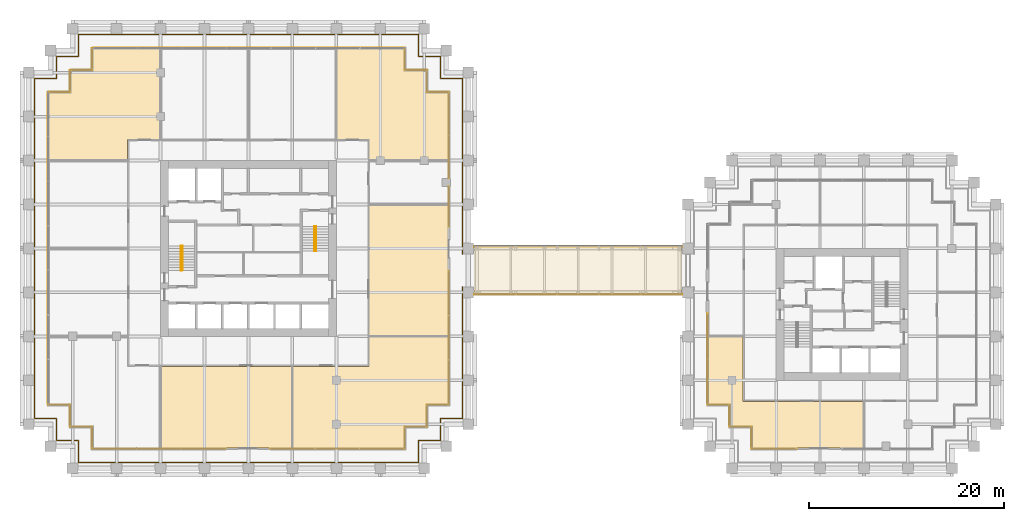
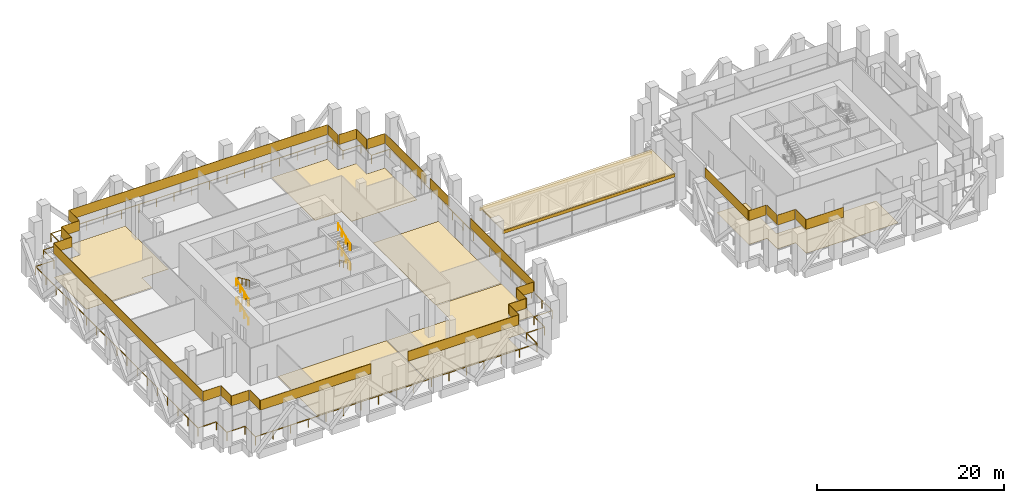
# One storey, part 43 of 44: 38 coverings, 9 railings.
"""IFC4 building model written with IfcOpenShell, lengths in metres."""

from ifc_helpers import new_model, si_unit, direction, frame, origin, origin_2d, place, context, subcontext, project, spatial, polyline, rectangle, circle, outline, extrude, source, transform, mapped, material, layer, layer_set, type_object, element, save


model = new_model("IFC4")

# Units and contexts
model_context = context("Model", 3, precision=1e-05, world=origin(), true_north=direction((0.0, 1.0)))
body_context = subcontext(model_context, "Body", "Model", "MODEL_VIEW")
ifc_project = project(units=[si_unit("LENGTHUNIT", "METRE"), si_unit("AREAUNIT", "SQUARE_METRE"), si_unit("VOLUMEUNIT", "CUBIC_METRE"), si_unit("PLANEANGLEUNIT", "RADIAN"), si_unit("MASSUNIT", "GRAM", prefix="KILO")], contexts=[model_context])

# Site, building, storey
site_placement = place(None, origin())
site = spatial("IfcSite", under=ifc_project, at=site_placement, CompositionType="ELEMENT")
building_placement = place(site_placement, origin())
building = spatial("IfcBuilding", under=site, at=building_placement, Name="Altepetl Exchange Towers", CompositionType="ELEMENT")
storey_placement = place(building_placement, frame((0.0, 0.0, 87.0)))
storey = spatial("IfcBuildingStorey", under=building, at=storey_placement, Name="L21 Refuge", CompositionType="ELEMENT", Elevation=87.0)

# Coverings
ifc_material_1 = material(Name="Aluminium composite cladding", Category="aluminium")
ifc_layer_1 = layer(ifc_material_1, 0.030029296875)
ifc_layer_set_1 = layer_set([ifc_layer_1], Name="Aluminium composite cladding")
covering_type_1 = type_object("IfcCoveringType", Name="Bridge fascia panel 30", PredefinedType="CLADDING", material=ifc_layer_set_1)
for number, where, name in (
    (1, (83.25, 44.784912109375, 3.0), "BR1 fascia"),
    (2, (83.25, 49.715087890625, 3.0), "BR1 fascia"),
):
    element("IfcCovering", number, at=place(storey_placement, frame(where)), inside=storey, type_object=covering_type_1, Name=name, PredefinedType="CLADDING", context=body_context, shape_type="SweptSolid", body=[
        extrude(rectangle(XDim=21.300048828125, YDim=0.030029296875, at=origin_2d()), origin(), (0.0, 0.0, 1.0), 0.406005859375),
    ])
ifc_material_2 = material(Name="Aluminium composite roofing", Category="aluminium")
ifc_layer_2 = layer(ifc_material_2, 0.14990234375)
ifc_layer_set_2 = layer_set([ifc_layer_2], Name="Aluminium composite roofing")
covering_type_2 = type_object("IfcCoveringType", Name="Bridge roof covering 150 insulated", PredefinedType="ROOFING", material=ifc_layer_set_2)
covering_1_placement = place(storey_placement, frame((0.0, 0.0, 3.406005859375)))
element("IfcCovering", 3, at=covering_1_placement, inside=storey, type_object=covering_type_2, Name="BR1 roof covering", PredefinedType="ROOFING", context=body_context, shape_type="SweptSolid", body=[
    extrude(outline(polyline([(72.60009765625, 44.7099609375), (93.89990234375, 44.7099609375), (93.89990234375, 49.7900390625), (72.60009765625, 49.7900390625), (72.60009765625, 44.7099609375)])), origin(), (0.0, 0.0, 1.0), 0.14990234375),
])
ifc_material_3 = material(Name="Cantera stone", Category="masonry")
ifc_layer_3 = layer(ifc_material_3, 0.030029296875)
ifc_layer_set_3 = layer_set([ifc_layer_3], Name="Cantera stone")
covering_type_3 = type_object("IfcCoveringType", Name="Polished stone floor", PredefinedType="FLOORING", material=ifc_layer_set_3)
covering_2_placement = place(storey_placement, origin())
element("IfcCovering", 4, at=covering_2_placement, inside=storey, type_object=covering_type_3, Name="Refuge area floor finish A21.03", PredefinedType="FLOORING", context=body_context, shape_type="SweptSolid", body=[
    extrude(outline(polyline([(40.5625, 37.4375), (40.5625, 29.0625), (53.9375, 29.0625), (53.9375, 37.4375), (40.5625, 37.4375)])), origin(), (0.0, 0.0, 1.0), 0.030029296875),
])
covering_3_placement = place(storey_placement, origin())
element("IfcCovering", 5, at=covering_3_placement, inside=storey, type_object=covering_type_3, Name="Refuge area floor finish A21.04", PredefinedType="FLOORING", context=body_context, shape_type="SweptSolid", body=[
    extrude(outline(polyline([(54.0625, 37.4375), (54.0625, 29.0625), (65.4375, 29.0625), (65.4375, 31.3125), (67.6875, 31.3125), (67.6875, 33.5625), (69.9375, 33.5625), (69.9375, 40.4375), (61.862548828125, 40.4375), (61.862548828125, 37.4375), (54.0625, 37.4375)])), origin(), (0.0, 0.0, 1.0), 0.030029296875),
])
covering_4_placement = place(storey_placement, origin())
element("IfcCovering", 6, at=covering_4_placement, inside=storey, type_object=covering_type_3, Name="Bridge lobby floor finish A21.05", PredefinedType="FLOORING", context=body_context, shape_type="SweptSolid", body=[
    extrude(outline(polyline([(69.9375, 40.5625), (69.9375, 53.9375), (61.862548828125, 53.9375), (61.862548828125, 40.5625), (69.9375, 40.5625)])), origin(), (0.0, 0.0, 1.0), 0.030029296875),
])
covering_5_placement = place(storey_placement, origin())
element("IfcCovering", 7, at=covering_5_placement, inside=storey, type_object=covering_type_3, Name="Refuge area floor finish A21.07", PredefinedType="FLOORING", context=body_context, shape_type="SweptSolid", body=[
    extrude(outline(polyline([(58.5625, 69.9375), (58.5625, 60.66259765625), (61.862548828125, 60.66259765625), (61.862548828125, 58.5625), (69.9375, 58.5625), (69.9375, 65.4375), (67.6875, 65.4375), (67.6875, 67.6875), (65.4375, 67.6875), (65.4375, 69.9375), (58.5625, 69.9375)])), origin(), (0.0, 0.0, 1.0), 0.030029296875),
])
covering_6_placement = place(storey_placement, origin())
element("IfcCovering", 8, at=covering_6_placement, inside=storey, type_object=covering_type_3, Name="Refuge area floor finish A21.10", PredefinedType="FLOORING", context=body_context, shape_type="SweptSolid", body=[
    extrude(outline(polyline([(33.5625, 69.9375), (33.5625, 67.6875), (31.3125, 67.6875), (31.3125, 65.4375), (29.0625, 65.4375), (29.0625, 58.5625), (37.137451171875, 58.5625), (37.137451171875, 60.66259765625), (40.4375, 60.66259765625), (40.4375, 69.9375), (33.5625, 69.9375)])), origin(), (0.0, 0.0, 1.0), 0.030029296875),
])
covering_7_placement = place(storey_placement, origin())
element("IfcCovering", 9, at=covering_7_placement, inside=storey, type_object=covering_type_3, Name="Refuge area floor finish B21.01", PredefinedType="FLOORING", context=body_context, shape_type="SweptSolid", body=[
    extrude(outline(polyline([(112.4375, 29.0625), (112.4375, 33.83740234375), (100.137451171875, 33.83740234375), (100.137451171875, 40.4375), (96.5625, 40.4375), (96.5625, 33.5625), (98.8125, 33.5625), (98.8125, 31.3125), (101.0625, 31.3125), (101.0625, 29.0625), (112.4375, 29.0625)])), origin(), (0.0, 0.0, 1.0), 0.030029296875),
])
ifc_material_4 = material(Name="Cantera limestone cladding", Category="masonry")
ifc_layer_4 = layer(ifc_material_4, 0.0400390625)
ifc_layer_set_4 = layer_set([ifc_layer_4], Name="Cantera limestone cladding")
covering_type_4 = type_object("IfcCoveringType", Name="Stone panel 40 cantera", PredefinedType="CLADDING", material=ifc_layer_set_4)
covering_8_placement = place(storey_placement, frame((30.175048828125, 65.5, 3.2001953125), z_axis=(0.0, 0.0, 1.0), x_axis=(-1.0, 0.0, 0.0)))
element("IfcCovering", 10, at=covering_8_placement, inside=storey, type_object=covering_type_4, Name="Stone cladding band", PredefinedType="CLADDING", context=body_context, shape_type="SweptSolid", body=[
    extrude(rectangle(XDim=2.14990234375, YDim=0.0400390625, at=origin_2d()), origin(), (0.0, 0.0, 1.0), 1.300048828125),
])
covering_9_placement = place(storey_placement, frame((29.0, 49.550048828125, 3.2001953125), z_axis=(0.0, 0.0, 1.0), x_axis=(0.0, -1.0, 0.0)))
element("IfcCovering", 11, at=covering_9_placement, inside=storey, type_object=covering_type_4, Name="Stone cladding band", PredefinedType="CLADDING", context=body_context, shape_type="SweptSolid", body=[
    extrude(rectangle(XDim=31.89990234375, YDim=0.0400390625, at=origin_2d()), origin(), (0.0, 0.0, 1.0), 1.300048828125),
])
covering_10_placement = place(storey_placement, frame((30.074951171875, 33.5, 3.2001953125)))
element("IfcCovering", 12, at=covering_10_placement, inside=storey, type_object=covering_type_4, Name="Stone cladding band", PredefinedType="CLADDING", context=body_context, shape_type="SweptSolid", body=[
    extrude(rectangle(XDim=2.14990234375, YDim=0.0400390625, at=origin_2d()), origin(), (0.0, 0.0, 1.0), 1.300048828125),
])
covering_11_placement = place(storey_placement, frame((31.25, 32.425048828125, 3.2001953125), z_axis=(0.0, 0.0, 1.0), x_axis=(0.0, -1.0, 0.0)))
element("IfcCovering", 13, at=covering_11_placement, inside=storey, type_object=covering_type_4, Name="Stone cladding band", PredefinedType="CLADDING", context=body_context, shape_type="SweptSolid", body=[
    extrude(rectangle(XDim=2.14990234375, YDim=0.0400390625, at=origin_2d()), origin(), (0.0, 0.0, 1.0), 1.300048828125),
])
covering_12_placement = place(storey_placement, frame((32.324951171875, 31.25, 3.2001953125)))
element("IfcCovering", 14, at=covering_12_placement, inside=storey, type_object=covering_type_4, Name="Stone cladding band", PredefinedType="CLADDING", context=body_context, shape_type="SweptSolid", body=[
    extrude(rectangle(XDim=2.14990234375, YDim=0.0400390625, at=origin_2d()), origin(), (0.0, 0.0, 1.0), 1.300048828125),
])
covering_13_placement = place(storey_placement, frame((33.5, 30.175048828125, 3.2001953125), z_axis=(0.0, 0.0, 1.0), x_axis=(0.0, -1.0, 0.0)))
element("IfcCovering", 15, at=covering_13_placement, inside=storey, type_object=covering_type_4, Name="Stone cladding band", PredefinedType="CLADDING", context=body_context, shape_type="SweptSolid", body=[
    extrude(rectangle(XDim=2.14990234375, YDim=0.0400390625, at=origin_2d()), origin(), (0.0, 0.0, 1.0), 1.300048828125),
])
for number, where, name in (
    (16, (40.335693359375, 29.0, 3.2001953125), "Stone cladding band"),
    (17, (58.564208984375, 29.0, 3.2001953125), "Stone cladding band"),
):
    element("IfcCovering", number, at=place(storey_placement, frame(where)), inside=storey, type_object=covering_type_4, Name=name, PredefinedType="CLADDING", context=body_context, shape_type="SweptSolid", body=[
        extrude(rectangle(XDim=13.67138671875, YDim=0.0400390625, at=origin_2d()), origin(), (0.0, 0.0, 1.0), 1.300048828125),
    ])
covering_14_placement = place(storey_placement, frame((65.5, 30.074951171875, 3.2001953125), z_axis=(0.0, 0.0, 1.0), x_axis=(0.0, 1.0, 0.0)))
element("IfcCovering", 18, at=covering_14_placement, inside=storey, type_object=covering_type_4, Name="Stone cladding band", PredefinedType="CLADDING", context=body_context, shape_type="SweptSolid", body=[
    extrude(rectangle(XDim=2.14990234375, YDim=0.0400390625, at=origin_2d()), origin(), (0.0, 0.0, 1.0), 1.300048828125),
])
covering_15_placement = place(storey_placement, frame((66.574951171875, 31.25, 3.2001953125)))
element("IfcCovering", 19, at=covering_15_placement, inside=storey, type_object=covering_type_4, Name="Stone cladding band", PredefinedType="CLADDING", context=body_context, shape_type="SweptSolid", body=[
    extrude(rectangle(XDim=2.14990234375, YDim=0.0400390625, at=origin_2d()), origin(), (0.0, 0.0, 1.0), 1.300048828125),
])
covering_16_placement = place(storey_placement, frame((67.75, 32.324951171875, 3.2001953125), z_axis=(0.0, 0.0, 1.0), x_axis=(0.0, 1.0, 0.0)))
element("IfcCovering", 20, at=covering_16_placement, inside=storey, type_object=covering_type_4, Name="Stone cladding band", PredefinedType="CLADDING", context=body_context, shape_type="SweptSolid", body=[
    extrude(rectangle(XDim=2.14990234375, YDim=0.0400390625, at=origin_2d()), origin(), (0.0, 0.0, 1.0), 1.300048828125),
])
covering_17_placement = place(storey_placement, frame((68.824951171875, 33.5, 3.2001953125)))
element("IfcCovering", 21, at=covering_17_placement, inside=storey, type_object=covering_type_4, Name="Stone cladding band", PredefinedType="CLADDING", context=body_context, shape_type="SweptSolid", body=[
    extrude(rectangle(XDim=2.14990234375, YDim=0.0400390625, at=origin_2d()), origin(), (0.0, 0.0, 1.0), 1.300048828125),
])
covering_18_placement = place(storey_placement, frame((70.0, 40.335693359375, 3.2001953125), z_axis=(0.0, 0.0, 1.0), x_axis=(0.0, 1.0, 0.0)))
element("IfcCovering", 22, at=covering_18_placement, inside=storey, type_object=covering_type_4, Name="Stone cladding band", PredefinedType="CLADDING", context=body_context, shape_type="SweptSolid", body=[
    extrude(rectangle(XDim=13.67138671875, YDim=0.0400390625, at=origin_2d()), origin(), (0.0, 0.0, 1.0), 1.300048828125),
])
covering_19_placement = place(storey_placement, frame((70.0, 53.766845703125, 3.2001953125), z_axis=(0.0, 0.0, 1.0), x_axis=(0.0, 1.0, 0.0)))
element("IfcCovering", 23, at=covering_19_placement, inside=storey, type_object=covering_type_4, Name="Stone cladding band", PredefinedType="CLADDING", context=body_context, shape_type="SweptSolid", body=[
    extrude(rectangle(XDim=4.076416015625, YDim=0.0400390625, at=origin_2d()), origin(), (0.0, 0.0, 1.0), 1.300048828125),
])
covering_20_placement = place(storey_placement, frame((70.0, 61.047607421875, 3.2001953125), z_axis=(0.0, 0.0, 1.0), x_axis=(0.0, 1.0, 0.0)))
element("IfcCovering", 24, at=covering_20_placement, inside=storey, type_object=covering_type_4, Name="Stone cladding band", PredefinedType="CLADDING", context=body_context, shape_type="SweptSolid", body=[
    extrude(rectangle(XDim=8.705078125, YDim=0.0400390625, at=origin_2d()), origin(), (0.0, 0.0, 1.0), 1.300048828125),
])
for number, where, z_axis, x_axis, name in (
    (25, (68.925048828125, 65.5, 3.2001953125), (0.0, 0.0, 1.0), (-1.0, 0.0, 0.0), "Stone cladding band"),
    (26, (67.75, 66.574951171875, 3.2001953125), (0.0, 0.0, 1.0), (0.0, 1.0, 0.0), "Stone cladding band"),
    (27, (66.675048828125, 67.75, 3.2001953125), (0.0, 0.0, 1.0), (-1.0, 0.0, 0.0), "Stone cladding band"),
    (28, (65.5, 68.824951171875, 3.2001953125), (0.0, 0.0, 1.0), (0.0, 1.0, 0.0), "Stone cladding band"),
):
    element("IfcCovering", number, at=place(storey_placement, frame(where, z_axis=z_axis, x_axis=x_axis)), inside=storey, type_object=covering_type_4, Name=name, PredefinedType="CLADDING", context=body_context, shape_type="SweptSolid", body=[
        extrude(rectangle(XDim=2.14990234375, YDim=0.0400390625, at=origin_2d()), origin(), (0.0, 0.0, 1.0), 1.300048828125),
    ])
covering_21_placement = place(storey_placement, frame((49.550048828125, 70.0, 3.2001953125), z_axis=(0.0, 0.0, 1.0), x_axis=(-1.0, 0.0, 0.0)))
element("IfcCovering", 29, at=covering_21_placement, inside=storey, type_object=covering_type_4, Name="Stone cladding band", PredefinedType="CLADDING", context=body_context, shape_type="SweptSolid", body=[
    extrude(rectangle(XDim=31.89990234375, YDim=0.0400390625, at=origin_2d()), origin(), (0.0, 0.0, 1.0), 1.300048828125),
])
for number, where, z_axis, x_axis, name in (
    (30, (33.5, 68.925048828125, 3.2001953125), (0.0, 0.0, 1.0), (0.0, -1.0, 0.0), "Stone cladding band"),
    (31, (32.425048828125, 67.75, 3.2001953125), (0.0, 0.0, 1.0), (-1.0, 0.0, 0.0), "Stone cladding band"),
    (32, (31.25, 66.675048828125, 3.2001953125), (0.0, 0.0, 1.0), (0.0, -1.0, 0.0), "Stone cladding band"),
):
    element("IfcCovering", number, at=place(storey_placement, frame(where, z_axis=z_axis, x_axis=x_axis)), inside=storey, type_object=covering_type_4, Name=name, PredefinedType="CLADDING", context=body_context, shape_type="SweptSolid", body=[
        extrude(rectangle(XDim=2.14990234375, YDim=0.0400390625, at=origin_2d()), origin(), (0.0, 0.0, 1.0), 1.300048828125),
    ])
covering_22_placement = place(storey_placement, frame((96.5, 38.199951171875, 3.2001953125), z_axis=(0.0, 0.0, 1.0), x_axis=(0.0, -1.0, 0.0)))
element("IfcCovering", 33, at=covering_22_placement, inside=storey, type_object=covering_type_4, Name="Stone cladding band", PredefinedType="CLADDING", context=body_context, shape_type="SweptSolid", body=[
    extrude(rectangle(XDim=9.199951171875, YDim=0.0400390625, at=origin_2d()), origin(), (0.0, 0.0, 1.0), 1.300048828125),
])
covering_23_placement = place(storey_placement, frame((97.574951171875, 33.5, 3.2001953125)))
element("IfcCovering", 34, at=covering_23_placement, inside=storey, type_object=covering_type_4, Name="Stone cladding band", PredefinedType="CLADDING", context=body_context, shape_type="SweptSolid", body=[
    extrude(rectangle(XDim=2.14990234375, YDim=0.0400390625, at=origin_2d()), origin(), (0.0, 0.0, 1.0), 1.300048828125),
])
covering_24_placement = place(storey_placement, frame((98.75, 32.425048828125, 3.2001953125), z_axis=(0.0, 0.0, 1.0), x_axis=(0.0, -1.0, 0.0)))
element("IfcCovering", 35, at=covering_24_placement, inside=storey, type_object=covering_type_4, Name="Stone cladding band", PredefinedType="CLADDING", context=body_context, shape_type="SweptSolid", body=[
    extrude(rectangle(XDim=2.14990234375, YDim=0.0400390625, at=origin_2d()), origin(), (0.0, 0.0, 1.0), 1.300048828125),
])
covering_25_placement = place(storey_placement, frame((99.824951171875, 31.25, 3.2001953125)))
element("IfcCovering", 36, at=covering_25_placement, inside=storey, type_object=covering_type_4, Name="Stone cladding band", PredefinedType="CLADDING", context=body_context, shape_type="SweptSolid", body=[
    extrude(rectangle(XDim=2.14990234375, YDim=0.0400390625, at=origin_2d()), origin(), (0.0, 0.0, 1.0), 1.300048828125),
])
covering_26_placement = place(storey_placement, frame((101.0, 30.175048828125, 3.2001953125), z_axis=(0.0, 0.0, 1.0), x_axis=(0.0, -1.0, 0.0)))
element("IfcCovering", 37, at=covering_26_placement, inside=storey, type_object=covering_type_4, Name="Stone cladding band", PredefinedType="CLADDING", context=body_context, shape_type="SweptSolid", body=[
    extrude(rectangle(XDim=2.14990234375, YDim=0.0400390625, at=origin_2d()), origin(), (0.0, 0.0, 1.0), 1.300048828125),
])
covering_27_placement = place(storey_placement, frame((103.300048828125, 29.0, 3.2001953125)))
element("IfcCovering", 38, at=covering_27_placement, inside=storey, type_object=covering_type_4, Name="Stone cladding band", PredefinedType="CLADDING", context=body_context, shape_type="SweptSolid", body=[
    extrude(rectangle(XDim=4.60009765625, YDim=0.0400390625, at=origin_2d()), origin(), (0.0, 0.0, 1.0), 1.300048828125),
])

# Railings
ifc_material_5 = material(Name="Steel S355", Category="steel")
railing_type_1 = type_object("IfcRailingType", Name="Guard 1100 steel posts and rail", PredefinedType="GUARDRAIL", material=ifc_material_5)
shared_shape_1 = source(origin(), body_context, "Body", "SweptSolid", [
    extrude(circle(Radius=0.02099609375, at=origin_2d()), origin(), (0.0, 0.0, 1.0), 1.052001953125),
])
railing_1_placement = place(storey_placement, frame((71.39990234375, 48.949951171875, 0.0)))
element("IfcRailing", 39, at=railing_1_placement, inside=storey, type_object=railing_type_1, Name="Loggia guard", PredefinedType="GUARDRAIL", context=body_context, shape_type="SweptSolid", body=[
    extrude(circle(Radius=0.02392578125, at=origin_2d()), frame((0.0, 0.0, 1.076171875), z_axis=(0.0, 1.0, 0.0), x_axis=(-1.0, 0.0, 0.0)), (0.0, 0.0, 1.0), 17.949951171875),
    extrude(circle(Radius=0.02392578125, at=origin_2d()), frame((0.0, 17.949951171875, 1.076171875), z_axis=(-1.0, 0.0, 0.0), x_axis=(0.0, -1.0, 0.0)), (0.0, 0.0, 1.0), 2.25),
    extrude(circle(Radius=0.02392578125, at=origin_2d()), frame((-2.25, 17.949951171875, 1.076171875), z_axis=(0.0, 1.0, 0.0), x_axis=(-1.0, 0.0, 0.0)), (0.0, 0.0, 1.0), 2.25),
    extrude(circle(Radius=0.02392578125, at=origin_2d()), frame((-2.25, 20.199951171875, 1.076171875), z_axis=(-1.0, 0.0, 0.0), x_axis=(0.0, -1.0, 0.0)), (0.0, 0.0, 1.0), 2.25),
    extrude(circle(Radius=0.02392578125, at=origin_2d()), frame((-4.5, 20.199951171875, 1.076171875), z_axis=(0.0, 1.0, 0.0), x_axis=(-1.0, 0.0, 0.0)), (0.0, 0.0, 1.0), 2.25),
    extrude(circle(Radius=0.02392578125, at=origin_2d()), frame((-4.5, 22.449951171875, 1.076171875), z_axis=(-1.0, 0.0, 0.0), x_axis=(0.0, -1.0, 0.0)), (0.0, 0.0, 1.0), 34.7998046875),
    extrude(circle(Radius=0.02392578125, at=origin_2d()), frame((-39.2998046875, 22.449951171875, 1.076171875), z_axis=(0.0, -1.0, 0.0), x_axis=(1.0, 0.0, 0.0)), (0.0, 0.0, 1.0), 2.25),
    extrude(circle(Radius=0.02392578125, at=origin_2d()), frame((-39.2998046875, 20.199951171875, 1.076171875), z_axis=(-1.0, 0.0, 0.0), x_axis=(0.0, -1.0, 0.0)), (0.0, 0.0, 1.0), 2.25),
    extrude(circle(Radius=0.02392578125, at=origin_2d()), frame((-41.5498046875, 20.199951171875, 1.076171875), z_axis=(0.0, -1.0, 0.0), x_axis=(1.0, 0.0, 0.0)), (0.0, 0.0, 1.0), 2.25),
    extrude(circle(Radius=0.02392578125, at=origin_2d()), frame((-41.5498046875, 17.949951171875, 1.076171875), z_axis=(-1.0, 0.0, 0.0), x_axis=(0.0, -1.0, 0.0)), (0.0, 0.0, 1.0), 2.25),
    extrude(circle(Radius=0.02392578125, at=origin_2d()), frame((-43.7998046875, 17.949951171875, 1.076171875), z_axis=(0.0, -1.0, 0.0), x_axis=(1.0, 0.0, 0.0)), (0.0, 0.0, 1.0), 34.7998046875),
    extrude(circle(Radius=0.02392578125, at=origin_2d()), frame((-43.7998046875, -16.849853515625, 1.076171875), z_axis=(1.0, 0.0, 0.0), x_axis=(0.0, 1.0, 0.0)), (0.0, 0.0, 1.0), 2.25),
    extrude(circle(Radius=0.02392578125, at=origin_2d()), frame((-41.5498046875, -16.849853515625, 1.076171875), z_axis=(0.0, -1.0, 0.0), x_axis=(1.0, 0.0, 0.0)), (0.0, 0.0, 1.0), 2.25),
    extrude(circle(Radius=0.02392578125, at=origin_2d()), frame((-41.5498046875, -19.099853515625, 1.076171875), z_axis=(1.0, 0.0, 0.0), x_axis=(0.0, 1.0, 0.0)), (0.0, 0.0, 1.0), 2.25),
    extrude(circle(Radius=0.02392578125, at=origin_2d()), frame((-39.2998046875, -19.099853515625, 1.076171875), z_axis=(0.0, -1.0, 0.0), x_axis=(1.0, 0.0, 0.0)), (0.0, 0.0, 1.0), 2.25),
    extrude(circle(Radius=0.02392578125, at=origin_2d()), frame((-39.2998046875, -21.349853515625, 1.076171875), z_axis=(1.0, 0.0, 0.0), x_axis=(0.0, 1.0, 0.0)), (0.0, 0.0, 1.0), 34.7998046875),
    extrude(circle(Radius=0.02392578125, at=origin_2d()), frame((-4.5, -21.349853515625, 1.076171875), z_axis=(0.0, 1.0, 0.0), x_axis=(-1.0, 0.0, 0.0)), (0.0, 0.0, 1.0), 2.25),
    extrude(circle(Radius=0.02392578125, at=origin_2d()), frame((-4.5, -19.099853515625, 1.076171875), z_axis=(1.0, 0.0, 0.0), x_axis=(0.0, 1.0, 0.0)), (0.0, 0.0, 1.0), 2.25),
    extrude(circle(Radius=0.02392578125, at=origin_2d()), frame((-2.25, -19.099853515625, 1.076171875), z_axis=(0.0, 1.0, 0.0), x_axis=(-1.0, 0.0, 0.0)), (0.0, 0.0, 1.0), 2.25),
    extrude(circle(Radius=0.02392578125, at=origin_2d()), frame((-2.25, -16.849853515625, 1.076171875), z_axis=(1.0, 0.0, 0.0), x_axis=(0.0, 1.0, 0.0)), (0.0, 0.0, 1.0), 2.25),
    extrude(circle(Radius=0.02392578125, at=origin_2d()), frame((0.0, -16.849853515625, 1.076171875), z_axis=(0.0, 1.0, 0.0), x_axis=(-1.0, 0.0, 0.0)), (0.0, 0.0, 1.0), 13.449951171875),
    mapped(shared_shape_1, transform((0.0, 0.0, 0.0))),
    mapped(shared_shape_1, transform((0.0, 2.24365234375, 0.0))),
    mapped(shared_shape_1, transform((0.0, 4.487548828125, 0.0))),
    mapped(shared_shape_1, transform((0.0, 6.731201171875, 0.0))),
    mapped(shared_shape_1, transform((0.0, 8.97509765625, 0.0))),
    mapped(shared_shape_1, transform((0.0, 11.21875, 0.0))),
    mapped(shared_shape_1, transform((0.0, 13.46240234375, 0.0))),
    mapped(shared_shape_1, transform((0.0, 15.706298828125, 0.0))),
    mapped(shared_shape_1, transform((0.0, 17.949951171875, 0.0))),
    mapped(shared_shape_1, transform((-2.25, 17.949951171875, 0.0))),
    mapped(shared_shape_1, transform((-2.25, 20.199951171875, 0.0))),
    mapped(shared_shape_1, transform((-4.5, 20.199951171875, 0.0))),
    mapped(shared_shape_1, transform((-4.5, 22.449951171875, 0.0))),
    mapped(shared_shape_1, transform((-6.675048828125, 22.449951171875, 0.0))),
    mapped(shared_shape_1, transform((-8.85009765625, 22.449951171875, 0.0))),
    mapped(shared_shape_1, transform((-11.02490234375, 22.449951171875, 0.0))),
    mapped(shared_shape_1, transform((-13.199951171875, 22.449951171875, 0.0))),
    mapped(shared_shape_1, transform((-15.375, 22.449951171875, 0.0))),
    mapped(shared_shape_1, transform((-17.5498046875, 22.449951171875, 0.0))),
    mapped(shared_shape_1, transform((-19.724853515625, 22.449951171875, 0.0))),
    mapped(shared_shape_1, transform((-21.89990234375, 22.449951171875, 0.0))),
    mapped(shared_shape_1, transform((-24.074951171875, 22.449951171875, 0.0))),
    mapped(shared_shape_1, transform((-26.25, 22.449951171875, 0.0))),
    mapped(shared_shape_1, transform((-28.4248046875, 22.449951171875, 0.0))),
    mapped(shared_shape_1, transform((-30.599853515625, 22.449951171875, 0.0))),
    mapped(shared_shape_1, transform((-32.77490234375, 22.449951171875, 0.0))),
    mapped(shared_shape_1, transform((-34.94970703125, 22.449951171875, 0.0))),
    mapped(shared_shape_1, transform((-37.124755859375, 22.449951171875, 0.0))),
    mapped(shared_shape_1, transform((-39.2998046875, 22.449951171875, 0.0))),
    mapped(shared_shape_1, transform((-39.2998046875, 20.199951171875, 0.0))),
    mapped(shared_shape_1, transform((-41.5498046875, 20.199951171875, 0.0))),
    mapped(shared_shape_1, transform((-41.5498046875, 17.949951171875, 0.0))),
    mapped(shared_shape_1, transform((-43.7998046875, 17.949951171875, 0.0))),
    mapped(shared_shape_1, transform((-43.7998046875, 15.77490234375, 0.0))),
    mapped(shared_shape_1, transform((-43.7998046875, 13.60009765625, 0.0))),
    mapped(shared_shape_1, transform((-43.7998046875, 11.425048828125, 0.0))),
    mapped(shared_shape_1, transform((-43.7998046875, 9.25, 0.0))),
    mapped(shared_shape_1, transform((-43.7998046875, 7.074951171875, 0.0))),
    mapped(shared_shape_1, transform((-43.7998046875, 4.89990234375, 0.0))),
    mapped(shared_shape_1, transform((-43.7998046875, 2.72509765625, 0.0))),
    mapped(shared_shape_1, transform((-43.7998046875, 0.550048828125, 0.0))),
    mapped(shared_shape_1, transform((-43.7998046875, -1.625, 0.0))),
    mapped(shared_shape_1, transform((-43.7998046875, -3.7998046875, 0.0))),
    mapped(shared_shape_1, transform((-43.7998046875, -5.974853515625, 0.0))),
    mapped(shared_shape_1, transform((-43.7998046875, -8.14990234375, 0.0))),
    mapped(shared_shape_1, transform((-43.7998046875, -10.324951171875, 0.0))),
    mapped(shared_shape_1, transform((-43.7998046875, -12.5, 0.0))),
    mapped(shared_shape_1, transform((-43.7998046875, -14.6748046875, 0.0))),
    mapped(shared_shape_1, transform((-43.7998046875, -16.849853515625, 0.0))),
    mapped(shared_shape_1, transform((-41.5498046875, -16.849853515625, 0.0))),
    mapped(shared_shape_1, transform((-41.5498046875, -19.099853515625, 0.0))),
    mapped(shared_shape_1, transform((-39.2998046875, -19.099853515625, 0.0))),
    mapped(shared_shape_1, transform((-39.2998046875, -21.349853515625, 0.0))),
    mapped(shared_shape_1, transform((-37.124755859375, -21.349853515625, 0.0))),
    mapped(shared_shape_1, transform((-34.94970703125, -21.349853515625, 0.0))),
    mapped(shared_shape_1, transform((-32.77490234375, -21.349853515625, 0.0))),
    mapped(shared_shape_1, transform((-30.599853515625, -21.349853515625, 0.0))),
    mapped(shared_shape_1, transform((-28.4248046875, -21.349853515625, 0.0))),
    mapped(shared_shape_1, transform((-26.25, -21.349853515625, 0.0))),
    mapped(shared_shape_1, transform((-24.074951171875, -21.349853515625, 0.0))),
    mapped(shared_shape_1, transform((-21.89990234375, -21.349853515625, 0.0))),
    mapped(shared_shape_1, transform((-19.724853515625, -21.349853515625, 0.0))),
    mapped(shared_shape_1, transform((-17.5498046875, -21.349853515625, 0.0))),
    mapped(shared_shape_1, transform((-15.375, -21.349853515625, 0.0))),
    mapped(shared_shape_1, transform((-13.199951171875, -21.349853515625, 0.0))),
    mapped(shared_shape_1, transform((-11.02490234375, -21.349853515625, 0.0))),
    mapped(shared_shape_1, transform((-8.85009765625, -21.349853515625, 0.0))),
    mapped(shared_shape_1, transform((-6.675048828125, -21.349853515625, 0.0))),
    mapped(shared_shape_1, transform((-4.5, -21.349853515625, 0.0))),
    mapped(shared_shape_1, transform((-4.5, -19.099853515625, 0.0))),
    mapped(shared_shape_1, transform((-2.25, -19.099853515625, 0.0))),
    mapped(shared_shape_1, transform((-2.25, -16.849853515625, 0.0))),
    mapped(shared_shape_1, transform((0.0, -16.849853515625, 0.0))),
    mapped(shared_shape_1, transform((0.0, -14.608154296875, 0.0))),
    mapped(shared_shape_1, transform((0.0, -12.366455078125, 0.0))),
    mapped(shared_shape_1, transform((0.0, -10.125, 0.0))),
    mapped(shared_shape_1, transform((0.0, -7.88330078125, 0.0))),
    mapped(shared_shape_1, transform((0.0, -5.6416015625, 0.0))),
    mapped(shared_shape_1, transform((0.0, -3.39990234375, 0.0))),
])
ifc_material_6 = material(Name="Steel", Category="steel")
railing_type_2 = type_object("IfcRailingType", Name="Stair handrail 50 steel tube", PredefinedType="HANDRAIL", material=ifc_material_6)
shared_shape_2 = source(origin(), body_context, "Body", "SweptSolid", [
    extrude(circle(Radius=0.02099609375, at=origin_2d()), origin(), (0.0, 0.0, 1.0), 0.851806640625),
])
railing_2_placement = place(storey_placement, frame((42.570068359375, 47.25, 0.125)))
element("IfcRailing", 40, at=railing_2_placement, inside=storey, type_object=railing_type_2, Name="Stair handrail", PredefinedType="HANDRAIL", context=body_context, shape_type="SweptSolid", body=[
    extrude(circle(Radius=0.02392578125, at=origin_2d()), frame((0.0, 0.0, 0.8759765625), z_axis=(0.0, 0.913139058521, 0.407648205936), x_axis=(-1.0, 0.0, 0.0)), (0.0, 0.0, 1.0), 2.759765625),
    mapped(shared_shape_2, transform((0.0, 0.0, 0.0))),
    mapped(shared_shape_2, transform((0.0, 0.840087890625, 0.375))),
    mapped(shared_shape_2, transform((0.0, 1.679931640625, 0.75))),
    mapped(shared_shape_2, transform((0.0, 2.52001953125, 1.125))),
])
railing_3_placement = place(storey_placement, frame((42.72998046875, 49.77001953125, 1.375)))
element("IfcRailing", 41, at=railing_3_placement, inside=storey, type_object=railing_type_2, Name="Stair handrail", PredefinedType="HANDRAIL", context=body_context, shape_type="SweptSolid", body=[
    extrude(circle(Radius=0.02392578125, at=origin_2d()), frame((0.0, 0.0, 0.8759765625), z_axis=(0.0, -0.913139058521, 0.407648205936), x_axis=(1.0, 0.0, 0.0)), (0.0, 0.0, 1.0), 2.759765625),
    mapped(shared_shape_2, transform((0.0, 0.0, 0.0))),
    mapped(shared_shape_2, transform((0.0, -0.840087890625, 0.375))),
    mapped(shared_shape_2, transform((0.0, -1.679931640625, 0.75))),
    mapped(shared_shape_2, transform((0.0, -2.52001953125, 1.125))),
])
railing_4_placement = place(storey_placement, frame((42.570068359375, 47.25, 2.625)))
element("IfcRailing", 42, at=railing_4_placement, inside=storey, type_object=railing_type_2, Name="Stair handrail", PredefinedType="HANDRAIL", context=body_context, shape_type="SweptSolid", body=[
    extrude(circle(Radius=0.02392578125, at=origin_2d()), frame((0.0, 0.0, 0.8759765625), z_axis=(0.0, 0.913139058521, 0.407648205936), x_axis=(-1.0, 0.0, 0.0)), (0.0, 0.0, 1.0), 2.759765625),
    mapped(shared_shape_2, transform((0.0, 0.0, 0.0))),
    mapped(shared_shape_2, transform((0.0, 0.840087890625, 0.375))),
    mapped(shared_shape_2, transform((0.0, 1.679931640625, 0.75))),
    mapped(shared_shape_2, transform((0.0, 2.52001953125, 1.125))),
])
for number, where, name in (
    (43, (42.72998046875, 49.77001953125, 3.875), "Stair handrail"),
    (44, (56.429931640625, 51.75, 0.125), "Stair handrail"),
):
    element("IfcRailing", number, at=place(storey_placement, frame(where)), inside=storey, type_object=railing_type_2, Name=name, PredefinedType="HANDRAIL", context=body_context, shape_type="SweptSolid", body=[
        extrude(circle(Radius=0.02392578125, at=origin_2d()), frame((0.0, 0.0, 0.8759765625), z_axis=(0.0, -0.913139058521, 0.407648205936), x_axis=(1.0, 0.0, 0.0)), (0.0, 0.0, 1.0), 2.759765625),
        mapped(shared_shape_2, transform((0.0, 0.0, 0.0))),
        mapped(shared_shape_2, transform((0.0, -0.840087890625, 0.375))),
        mapped(shared_shape_2, transform((0.0, -1.679931640625, 0.75))),
        mapped(shared_shape_2, transform((0.0, -2.52001953125, 1.125))),
    ])
railing_5_placement = place(storey_placement, frame((56.27001953125, 49.22998046875, 1.375)))
element("IfcRailing", 45, at=railing_5_placement, inside=storey, type_object=railing_type_2, Name="Stair handrail", PredefinedType="HANDRAIL", context=body_context, shape_type="SweptSolid", body=[
    extrude(circle(Radius=0.02392578125, at=origin_2d()), frame((0.0, 0.0, 0.8759765625), z_axis=(0.0, 0.913139058521, 0.407648205936), x_axis=(-1.0, 0.0, 0.0)), (0.0, 0.0, 1.0), 2.759765625),
    mapped(shared_shape_2, transform((0.0, 0.0, 0.0))),
    mapped(shared_shape_2, transform((0.0, 0.840087890625, 0.375))),
    mapped(shared_shape_2, transform((0.0, 1.679931640625, 0.75))),
    mapped(shared_shape_2, transform((0.0, 2.52001953125, 1.125))),
])
railing_6_placement = place(storey_placement, frame((56.429931640625, 51.75, 2.625)))
element("IfcRailing", 46, at=railing_6_placement, inside=storey, type_object=railing_type_2, Name="Stair handrail", PredefinedType="HANDRAIL", context=body_context, shape_type="SweptSolid", body=[
    extrude(circle(Radius=0.02392578125, at=origin_2d()), frame((0.0, 0.0, 0.8759765625), z_axis=(0.0, -0.913139058521, 0.407648205936), x_axis=(1.0, 0.0, 0.0)), (0.0, 0.0, 1.0), 2.759765625),
    mapped(shared_shape_2, transform((0.0, 0.0, 0.0))),
    mapped(shared_shape_2, transform((0.0, -0.840087890625, 0.375))),
    mapped(shared_shape_2, transform((0.0, -1.679931640625, 0.75))),
    mapped(shared_shape_2, transform((0.0, -2.52001953125, 1.125))),
])
railing_7_placement = place(storey_placement, frame((56.27001953125, 49.22998046875, 3.875)))
element("IfcRailing", 47, at=railing_7_placement, inside=storey, type_object=railing_type_2, Name="Stair handrail", PredefinedType="HANDRAIL", context=body_context, shape_type="SweptSolid", body=[
    extrude(circle(Radius=0.02392578125, at=origin_2d()), frame((0.0, 0.0, 0.8759765625), z_axis=(0.0, 0.913139058521, 0.407648205936), x_axis=(-1.0, 0.0, 0.0)), (0.0, 0.0, 1.0), 2.759765625),
    mapped(shared_shape_2, transform((0.0, 0.0, 0.0))),
    mapped(shared_shape_2, transform((0.0, 0.840087890625, 0.375))),
    mapped(shared_shape_2, transform((0.0, 1.679931640625, 0.75))),
    mapped(shared_shape_2, transform((0.0, 2.52001953125, 1.125))),
])

save(model, "model.ifc")
